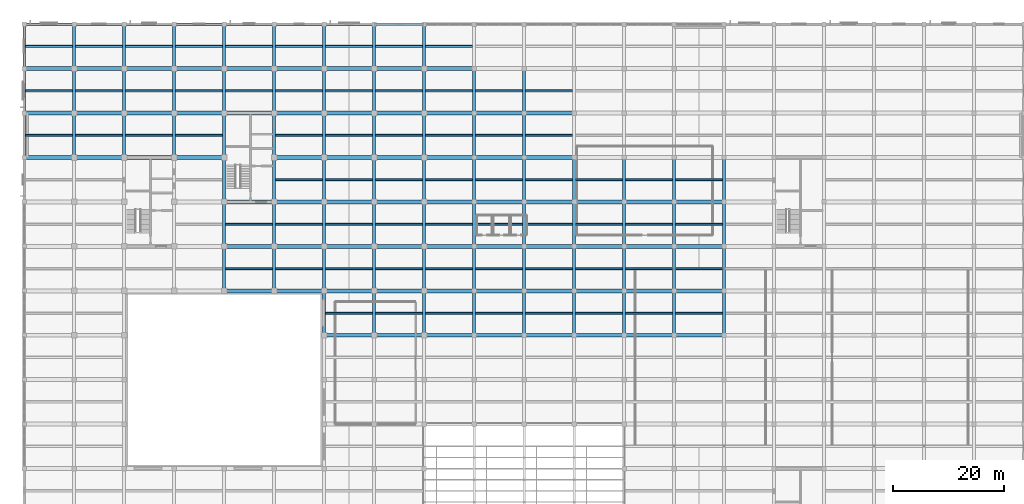
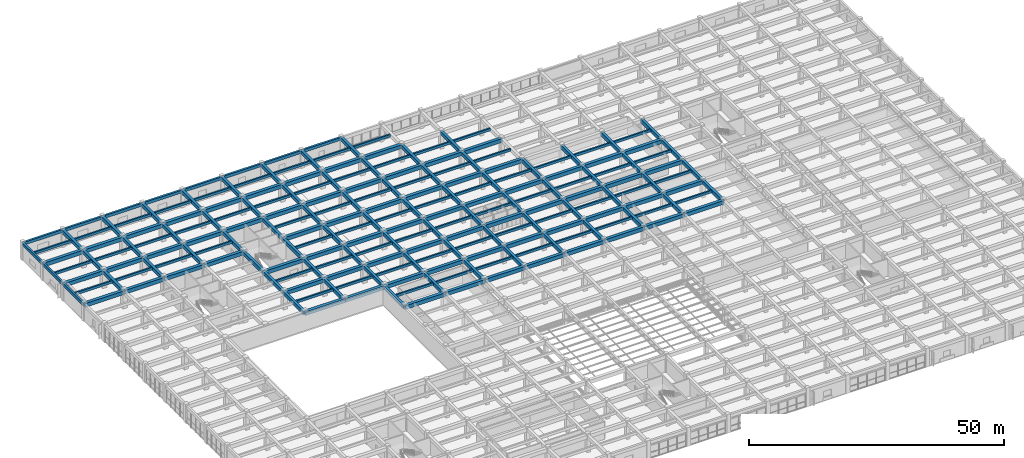
# One storey, part 15 of 50: 216 beams.
"""IFC4 building model written with IfcOpenShell, lengths in metres."""

from ifc_helpers import new_model, si_unit, direction, frame, origin, origin_2d, place, context, subcontext, project, spatial, rectangle, extrude, material, material_profile, profile_set, type_object, element, save


model = new_model("IFC4")

# Units and contexts
model_context = context("Model", 3, precision=1e-05, world=origin(), true_north=direction((0.0, 1.0)))
body_context = subcontext(model_context, "Body", "Model", "MODEL_VIEW")
ifc_project = project(units=[si_unit("LENGTHUNIT", "METRE"), si_unit("AREAUNIT", "SQUARE_METRE"), si_unit("VOLUMEUNIT", "CUBIC_METRE"), si_unit("PLANEANGLEUNIT", "RADIAN"), si_unit("MASSUNIT", "GRAM", prefix="KILO")], contexts=[model_context])

# Site, building, storey
site_placement = place(None, origin())
site = spatial("IfcSite", under=ifc_project, at=site_placement, CompositionType="ELEMENT")
building_placement = place(site_placement, origin())
building = spatial("IfcBuilding", under=site, at=building_placement, Name="Zaverband Oceanarium and Marine Research Institute", CompositionType="ELEMENT")
storey_placement = place(building_placement, frame((0.0, 0.0, 9.0)))
storey = spatial("IfcBuildingStorey", under=building, at=storey_placement, Name="L02", CompositionType="ELEMENT", Elevation=9.0)

# Beams
ifc_material = material(Name="Concrete C40/50", Category="concrete")
ifc_material_profile_1 = material_profile(ifc_material, rectangle(XDim=0.60009765625, YDim=0.85009765625, at=origin_2d()), Name="RC600x850")
ifc_profile_set_1 = profile_set([ifc_material_profile_1], Name="Concrete C40/50")
beam_type_1 = type_object("IfcBeamType", Name="BM-600x850", PredefinedType="BEAM", material=ifc_profile_set_1)
for number, where, z_axis, x_axis, name in (
    (1, (9.0, 96.0, 3.715087890625), (0.0, 1.0, 0.0), (-1.0, 0.0, 0.0), "Primary floor girder BM-600x850"),
    (2, (9.0, 104.0, 3.715087890625), (0.0, 1.0, 0.0), (-1.0, 0.0, 0.0), "Primary floor girder BM-600x850"),
    (3, (9.0, 112.0, 3.715087890625), (0.0, 1.0, 0.0), (-1.0, 0.0, 0.0), "Primary floor girder BM-600x850"),
    (4, (18.0, 96.0, 3.715087890625), (0.0, 1.0, 0.0), (-1.0, 0.0, 0.0), "Primary floor girder BM-600x850"),
    (5, (18.0, 104.0, 3.715087890625), (0.0, 1.0, 0.0), (-1.0, 0.0, 0.0), "Primary floor girder BM-600x850"),
    (6, (18.0, 112.0, 3.715087890625), (0.0, 1.0, 0.0), (-1.0, 0.0, 0.0), "Primary floor girder BM-600x850"),
    (7, (27.0, 96.0, 3.715087890625), (0.0, 1.0, 0.0), (-1.0, 0.0, 0.0), "Primary floor girder BM-600x850"),
    (8, (27.0, 104.0, 3.715087890625), (0.0, 1.0, 0.0), (-1.0, 0.0, 0.0), "Primary floor girder BM-600x850"),
    (9, (27.0, 112.0, 3.715087890625), (0.0, 1.0, 0.0), (-1.0, 0.0, 0.0), "Primary floor girder BM-600x850"),
    (10, (36.0, 72.0, 3.715087890625), (0.0, 1.0, 0.0), (-1.0, 0.0, 0.0), "Primary floor girder BM-600x850"),
    (11, (36.0, 80.0, 3.715087890625), (0.0, 1.0, 0.0), (-1.0, 0.0, 0.0), "Primary floor girder BM-600x850"),
    (12, (36.0, 88.0, 3.715087890625), (0.0, 1.0, 0.0), (-1.0, 0.0, 0.0), "Primary floor girder BM-600x850"),
    (13, (36.0, 96.0, 3.715087890625), (0.0, 1.0, 0.0), (-1.0, 0.0, 0.0), "Primary floor girder BM-600x850"),
    (14, (36.0, 104.0, 3.715087890625), (0.0, 1.0, 0.0), (-1.0, 0.0, 0.0), "Primary floor girder BM-600x850"),
    (15, (36.0, 112.0, 3.715087890625), (0.0, 1.0, 0.0), (-1.0, 0.0, 0.0), "Primary floor girder BM-600x850"),
    (16, (45.0, 72.0, 3.715087890625), (0.0, 1.0, 0.0), (-1.0, 0.0, 0.0), "Primary floor girder BM-600x850"),
    (17, (45.0, 80.0, 3.715087890625), (0.0, 1.0, 0.0), (-1.0, 0.0, 0.0), "Primary floor girder BM-600x850"),
    (18, (45.0, 88.0, 3.715087890625), (0.0, 1.0, 0.0), (-1.0, 0.0, 0.0), "Primary floor girder BM-600x850"),
    (19, (45.0, 96.0, 3.715087890625), (0.0, 1.0, 0.0), (-1.0, 0.0, 0.0), "Primary floor girder BM-600x850"),
    (20, (45.0, 104.0, 3.715087890625), (0.0, 1.0, 0.0), (-1.0, 0.0, 0.0), "Primary floor girder BM-600x850"),
    (21, (45.0, 112.0, 3.715087890625), (0.0, 1.0, 0.0), (-1.0, 0.0, 0.0), "Primary floor girder BM-600x850"),
    (22, (54.0, 64.0, 3.715087890625), (0.0, 1.0, 0.0), (-1.0, 0.0, 0.0), "Primary floor girder BM-600x850"),
    (23, (54.0, 72.0, 3.715087890625), (0.0, 1.0, 0.0), (-1.0, 0.0, 0.0), "Primary floor girder BM-600x850"),
    (24, (54.0, 80.0, 3.715087890625), (0.0, 1.0, 0.0), (-1.0, 0.0, 0.0), "Primary floor girder BM-600x850"),
    (25, (54.0, 88.0, 3.715087890625), (0.0, 1.0, 0.0), (-1.0, 0.0, 0.0), "Primary floor girder BM-600x850"),
    (26, (54.0, 96.0, 3.715087890625), (0.0, 1.0, 0.0), (-1.0, 0.0, 0.0), "Primary floor girder BM-600x850"),
    (27, (54.0, 104.0, 3.715087890625), (0.0, 1.0, 0.0), (-1.0, 0.0, 0.0), "Primary floor girder BM-600x850"),
    (28, (54.0, 112.0, 3.715087890625), (0.0, 1.0, 0.0), (-1.0, 0.0, 0.0), "Primary floor girder BM-600x850"),
    (29, (63.0, 64.0, 3.715087890625), (0.0, 1.0, 0.0), (-1.0, 0.0, 0.0), "Primary floor girder BM-600x850"),
    (30, (63.0, 72.0, 3.715087890625), (0.0, 1.0, 0.0), (-1.0, 0.0, 0.0), "Primary floor girder BM-600x850"),
    (31, (63.0, 80.0, 3.715087890625), (0.0, 1.0, 0.0), (-1.0, 0.0, 0.0), "Primary floor girder BM-600x850"),
    (32, (63.0, 88.0, 3.715087890625), (0.0, 1.0, 0.0), (-1.0, 0.0, 0.0), "Primary floor girder BM-600x850"),
    (33, (63.0, 96.0, 3.715087890625), (0.0, 1.0, 0.0), (-1.0, 0.0, 0.0), "Primary floor girder BM-600x850"),
    (34, (63.0, 104.0, 3.715087890625), (0.0, 1.0, 0.0), (-1.0, 0.0, 0.0), "Primary floor girder BM-600x850"),
    (35, (63.0, 112.0, 3.715087890625), (0.0, 1.0, 0.0), (-1.0, 0.0, 0.0), "Primary floor girder BM-600x850"),
    (36, (72.0, 64.0, 3.715087890625), (0.0, 1.0, 0.0), (-1.0, 0.0, 0.0), "Primary floor girder BM-600x850"),
    (37, (72.0, 72.0, 3.715087890625), (0.0, 1.0, 0.0), (-1.0, 0.0, 0.0), "Primary floor girder BM-600x850"),
    (38, (72.0, 80.0, 3.715087890625), (0.0, 1.0, 0.0), (-1.0, 0.0, 0.0), "Primary floor girder BM-600x850"),
    (39, (72.0, 88.0, 3.715087890625), (0.0, 1.0, 0.0), (-1.0, 0.0, 0.0), "Primary floor girder BM-600x850"),
    (40, (72.0, 96.0, 3.715087890625), (0.0, 1.0, 0.0), (-1.0, 0.0, 0.0), "Primary floor girder BM-600x850"),
    (41, (72.0, 104.0, 3.715087890625), (0.0, 1.0, 0.0), (-1.0, 0.0, 0.0), "Primary floor girder BM-600x850"),
    (42, (72.0, 112.0, 3.715087890625), (0.0, 1.0, 0.0), (-1.0, 0.0, 0.0), "Primary floor girder BM-600x850"),
    (43, (81.0, 64.0, 3.715087890625), (0.0, 1.0, 0.0), (-1.0, 0.0, 0.0), "Primary floor girder BM-600x850"),
    (44, (81.0, 72.0, 3.715087890625), (0.0, 1.0, 0.0), (-1.0, 0.0, 0.0), "Primary floor girder BM-600x850"),
    (45, (81.0, 80.0, 3.715087890625), (0.0, 1.0, 0.0), (-1.0, 0.0, 0.0), "Primary floor girder BM-600x850"),
    (46, (81.0, 88.0, 3.715087890625), (0.0, 1.0, 0.0), (-1.0, 0.0, 0.0), "Primary floor girder BM-600x850"),
    (47, (81.0, 96.0, 3.715087890625), (0.0, 1.0, 0.0), (-1.0, 0.0, 0.0), "Primary floor girder BM-600x850"),
    (48, (81.0, 104.0, 3.715087890625), (0.0, 1.0, 0.0), (-1.0, 0.0, 0.0), "Primary floor girder BM-600x850"),
    (49, (90.0, 64.0, 3.715087890625), (0.0, 1.0, 0.0), (-1.0, 0.0, 0.0), "Primary floor girder BM-600x850"),
    (50, (90.0, 72.0, 3.715087890625), (0.0, 1.0, 0.0), (-1.0, 0.0, 0.0), "Primary floor girder BM-600x850"),
    (51, (90.0, 80.0, 3.715087890625), (0.0, 1.0, 0.0), (-1.0, 0.0, 0.0), "Primary floor girder BM-600x850"),
    (52, (90.0, 88.0, 3.715087890625), (0.0, 1.0, 0.0), (-1.0, 0.0, 0.0), "Primary floor girder BM-600x850"),
    (53, (90.0, 96.0, 3.715087890625), (0.0, 1.0, 0.0), (-1.0, 0.0, 0.0), "Primary floor girder BM-600x850"),
    (54, (90.0, 104.0, 3.715087890625), (0.0, 1.0, 0.0), (-1.0, 0.0, 0.0), "Primary floor girder BM-600x850"),
    (55, (99.0, 64.0, 3.715087890625), (0.0, 1.0, 0.0), (-1.0, 0.0, 0.0), "Primary floor girder BM-600x850"),
    (56, (99.0, 72.0, 3.715087890625), (0.0, 1.0, 0.0), (-1.0, 0.0, 0.0), "Primary floor girder BM-600x850"),
    (57, (99.0, 80.0, 3.715087890625), (0.0, 1.0, 0.0), (-1.0, 0.0, 0.0), "Primary floor girder BM-600x850"),
    (58, (99.0, 88.0, 3.715087890625), (0.0, 1.0, 0.0), (-1.0, 0.0, 0.0), "Primary floor girder BM-600x850"),
    (59, (108.0, 64.0, 3.715087890625), (0.0, 1.0, 0.0), (-1.0, 0.0, 0.0), "Primary floor girder BM-600x850"),
    (60, (108.0, 72.0, 3.715087890625), (0.0, 1.0, 0.0), (-1.0, 0.0, 0.0), "Primary floor girder BM-600x850"),
    (61, (108.0, 80.0, 3.715087890625), (0.0, 1.0, 0.0), (-1.0, 0.0, 0.0), "Primary floor girder BM-600x850"),
    (62, (108.0, 88.0, 3.715087890625), (0.0, 1.0, 0.0), (-1.0, 0.0, 0.0), "Primary floor girder BM-600x850"),
    (63, (117.0, 64.0, 3.715087890625), (0.0, 1.0, 0.0), (-1.0, 0.0, 0.0), "Primary floor girder BM-600x850"),
    (64, (117.0, 72.0, 3.715087890625), (0.0, 1.0, 0.0), (-1.0, 0.0, 0.0), "Primary floor girder BM-600x850"),
    (65, (117.0, 80.0, 3.715087890625), (0.0, 1.0, 0.0), (-1.0, 0.0, 0.0), "Primary floor girder BM-600x850"),
    (66, (117.0, 88.0, 3.715087890625), (0.0, 1.0, 0.0), (-1.0, 0.0, 0.0), "Primary floor girder BM-600x850"),
    (67, (126.0, 64.0, 3.715087890625), (0.0, 1.0, 0.0), (-1.0, 0.0, 0.0), "Primary floor girder BM-600x850"),
    (68, (126.0, 72.0, 3.715087890625), (0.0, 1.0, 0.0), (-1.0, 0.0, 0.0), "Primary floor girder BM-600x850"),
    (69, (126.0, 80.0, 3.715087890625), (0.0, 1.0, 0.0), (-1.0, 0.0, 0.0), "Primary floor girder BM-600x850"),
    (70, (126.0, 88.0, 3.715087890625), (0.0, 1.0, 0.0), (-1.0, 0.0, 0.0), "Primary floor girder BM-600x850"),
):
    element("IfcBeam", number, at=place(storey_placement, frame(where, z_axis=z_axis, x_axis=x_axis)), inside=storey, type_object=beam_type_1, Name=name, PredefinedType="BEAM", context=body_context, shape_type="SweptSolid", body=[
        extrude(rectangle(XDim=0.60009765625, YDim=0.85009765625, at=origin_2d()), origin(), (0.0, 0.0, 1.0), 8.0),
    ])
ifc_material_profile_2 = material_profile(ifc_material, rectangle(XDim=0.699951171875, YDim=0.89990234375, at=origin_2d()), Name="RC700x900")
ifc_profile_set_2 = profile_set([ifc_material_profile_2], Name="Concrete C40/50")
beam_type_2 = type_object("IfcBeamType", Name="BM-700x900", PredefinedType="BEAM", material=ifc_profile_set_2)
for number, where, z_axis, x_axis, name in (
    (71, (54.0, 64.0, 3.68994140625), (1.0, 0.0, 0.0), (0.0, 1.0, 0.0), "Primary floor girder BM-700x900"),
    (72, (63.0, 64.0, 3.68994140625), (1.0, 0.0, 0.0), (0.0, 1.0, 0.0), "Primary floor girder BM-700x900"),
    (73, (72.0, 64.0, 3.68994140625), (1.0, 0.0, 0.0), (0.0, 1.0, 0.0), "Primary floor girder BM-700x900"),
    (74, (81.0, 64.0, 3.68994140625), (1.0, 0.0, 0.0), (0.0, 1.0, 0.0), "Primary floor girder BM-700x900"),
    (75, (90.0, 64.0, 3.68994140625), (1.0, 0.0, 0.0), (0.0, 1.0, 0.0), "Primary floor girder BM-700x900"),
    (76, (99.0, 64.0, 3.68994140625), (1.0, 0.0, 0.0), (0.0, 1.0, 0.0), "Primary floor girder BM-700x900"),
    (77, (108.0, 64.0, 3.68994140625), (1.0, 0.0, 0.0), (0.0, 1.0, 0.0), "Primary floor girder BM-700x900"),
    (78, (117.0, 64.0, 3.68994140625), (1.0, 0.0, 0.0), (0.0, 1.0, 0.0), "Primary floor girder BM-700x900"),
    (79, (36.0, 72.0, 3.68994140625), (1.0, 0.0, 0.0), (0.0, 1.0, 0.0), "Primary floor girder BM-700x900"),
    (80, (45.0, 72.0, 3.68994140625), (1.0, 0.0, 0.0), (0.0, 1.0, 0.0), "Primary floor girder BM-700x900"),
    (81, (54.0, 72.0, 3.68994140625), (1.0, 0.0, 0.0), (0.0, 1.0, 0.0), "Primary floor girder BM-700x900"),
    (82, (63.0, 72.0, 3.68994140625), (1.0, 0.0, 0.0), (0.0, 1.0, 0.0), "Primary floor girder BM-700x900"),
    (83, (72.0, 72.0, 3.68994140625), (1.0, 0.0, 0.0), (0.0, 1.0, 0.0), "Primary floor girder BM-700x900"),
    (84, (81.0, 72.0, 3.68994140625), (1.0, 0.0, 0.0), (0.0, 1.0, 0.0), "Primary floor girder BM-700x900"),
    (85, (90.0, 72.0, 3.68994140625), (1.0, 0.0, 0.0), (0.0, 1.0, 0.0), "Primary floor girder BM-700x900"),
    (86, (99.0, 72.0, 3.68994140625), (1.0, 0.0, 0.0), (0.0, 1.0, 0.0), "Primary floor girder BM-700x900"),
    (87, (108.0, 72.0, 3.68994140625), (1.0, 0.0, 0.0), (0.0, 1.0, 0.0), "Primary floor girder BM-700x900"),
    (88, (117.0, 72.0, 3.68994140625), (1.0, 0.0, 0.0), (0.0, 1.0, 0.0), "Primary floor girder BM-700x900"),
    (89, (36.0, 80.0, 3.68994140625), (1.0, 0.0, 0.0), (0.0, 1.0, 0.0), "Primary floor girder BM-700x900"),
    (90, (45.0, 80.0, 3.68994140625), (1.0, 0.0, 0.0), (0.0, 1.0, 0.0), "Primary floor girder BM-700x900"),
    (91, (54.0, 80.0, 3.68994140625), (1.0, 0.0, 0.0), (0.0, 1.0, 0.0), "Primary floor girder BM-700x900"),
    (92, (63.0, 80.0, 3.68994140625), (1.0, 0.0, 0.0), (0.0, 1.0, 0.0), "Primary floor girder BM-700x900"),
    (93, (72.0, 80.0, 3.68994140625), (1.0, 0.0, 0.0), (0.0, 1.0, 0.0), "Primary floor girder BM-700x900"),
    (94, (81.0, 80.0, 3.68994140625), (1.0, 0.0, 0.0), (0.0, 1.0, 0.0), "Primary floor girder BM-700x900"),
    (95, (90.0, 80.0, 3.68994140625), (1.0, 0.0, 0.0), (0.0, 1.0, 0.0), "Primary floor girder BM-700x900"),
    (96, (99.0, 80.0, 3.68994140625), (1.0, 0.0, 0.0), (0.0, 1.0, 0.0), "Primary floor girder BM-700x900"),
    (97, (108.0, 80.0, 3.68994140625), (1.0, 0.0, 0.0), (0.0, 1.0, 0.0), "Primary floor girder BM-700x900"),
    (98, (117.0, 80.0, 3.68994140625), (1.0, 0.0, 0.0), (0.0, 1.0, 0.0), "Primary floor girder BM-700x900"),
    (99, (36.0, 88.0, 3.68994140625), (1.0, 0.0, 0.0), (0.0, 1.0, 0.0), "Primary floor girder BM-700x900"),
    (100, (45.0, 88.0, 3.68994140625), (1.0, 0.0, 0.0), (0.0, 1.0, 0.0), "Primary floor girder BM-700x900"),
    (101, (54.0, 88.0, 3.68994140625), (1.0, 0.0, 0.0), (0.0, 1.0, 0.0), "Primary floor girder BM-700x900"),
    (102, (63.0, 88.0, 3.68994140625), (1.0, 0.0, 0.0), (0.0, 1.0, 0.0), "Primary floor girder BM-700x900"),
    (103, (72.0, 88.0, 3.68994140625), (1.0, 0.0, 0.0), (0.0, 1.0, 0.0), "Primary floor girder BM-700x900"),
    (104, (81.0, 88.0, 3.68994140625), (1.0, 0.0, 0.0), (0.0, 1.0, 0.0), "Primary floor girder BM-700x900"),
    (105, (90.0, 88.0, 3.68994140625), (1.0, 0.0, 0.0), (0.0, 1.0, 0.0), "Primary floor girder BM-700x900"),
    (106, (99.0, 88.0, 3.68994140625), (1.0, 0.0, 0.0), (0.0, 1.0, 0.0), "Primary floor girder BM-700x900"),
    (107, (108.0, 88.0, 3.68994140625), (1.0, 0.0, 0.0), (0.0, 1.0, 0.0), "Primary floor girder BM-700x900"),
    (108, (117.0, 88.0, 3.68994140625), (1.0, 0.0, 0.0), (0.0, 1.0, 0.0), "Primary floor girder BM-700x900"),
    (109, (0.0, 96.0, 3.68994140625), (1.0, 0.0, 0.0), (0.0, 1.0, 0.0), "Primary floor girder BM-700x900"),
    (110, (9.0, 96.0, 3.68994140625), (1.0, 0.0, 0.0), (0.0, 1.0, 0.0), "Primary floor girder BM-700x900"),
    (111, (18.0, 96.0, 3.68994140625), (1.0, 0.0, 0.0), (0.0, 1.0, 0.0), "Primary floor girder BM-700x900"),
    (112, (27.0, 96.0, 3.68994140625), (1.0, 0.0, 0.0), (0.0, 1.0, 0.0), "Primary floor girder BM-700x900"),
    (113, (45.0, 96.0, 3.68994140625), (1.0, 0.0, 0.0), (0.0, 1.0, 0.0), "Primary floor girder BM-700x900"),
    (114, (54.0, 96.0, 3.68994140625), (1.0, 0.0, 0.0), (0.0, 1.0, 0.0), "Primary floor girder BM-700x900"),
    (115, (63.0, 96.0, 3.68994140625), (1.0, 0.0, 0.0), (0.0, 1.0, 0.0), "Primary floor girder BM-700x900"),
    (116, (72.0, 96.0, 3.68994140625), (1.0, 0.0, 0.0), (0.0, 1.0, 0.0), "Primary floor girder BM-700x900"),
    (117, (81.0, 96.0, 3.68994140625), (1.0, 0.0, 0.0), (0.0, 1.0, 0.0), "Primary floor girder BM-700x900"),
    (118, (90.0, 96.0, 3.68994140625), (1.0, 0.0, 0.0), (0.0, 1.0, 0.0), "Primary floor girder BM-700x900"),
    (119, (0.0, 104.0, 3.68994140625), (1.0, 0.0, 0.0), (0.0, 1.0, 0.0), "Primary floor girder BM-700x900"),
    (120, (9.0, 104.0, 3.68994140625), (1.0, 0.0, 0.0), (0.0, 1.0, 0.0), "Primary floor girder BM-700x900"),
    (121, (18.0, 104.0, 3.68994140625), (1.0, 0.0, 0.0), (0.0, 1.0, 0.0), "Primary floor girder BM-700x900"),
    (122, (27.0, 104.0, 3.68994140625), (1.0, 0.0, 0.0), (0.0, 1.0, 0.0), "Primary floor girder BM-700x900"),
    (123, (36.0, 104.0, 3.68994140625), (1.0, 0.0, 0.0), (0.0, 1.0, 0.0), "Primary floor girder BM-700x900"),
    (124, (45.0, 104.0, 3.68994140625), (1.0, 0.0, 0.0), (0.0, 1.0, 0.0), "Primary floor girder BM-700x900"),
    (125, (54.0, 104.0, 3.68994140625), (1.0, 0.0, 0.0), (0.0, 1.0, 0.0), "Primary floor girder BM-700x900"),
    (126, (63.0, 104.0, 3.68994140625), (1.0, 0.0, 0.0), (0.0, 1.0, 0.0), "Primary floor girder BM-700x900"),
    (127, (72.0, 104.0, 3.68994140625), (1.0, 0.0, 0.0), (0.0, 1.0, 0.0), "Primary floor girder BM-700x900"),
    (128, (81.0, 104.0, 3.68994140625), (1.0, 0.0, 0.0), (0.0, 1.0, 0.0), "Primary floor girder BM-700x900"),
    (129, (90.0, 104.0, 3.68994140625), (1.0, 0.0, 0.0), (0.0, 1.0, 0.0), "Primary floor girder BM-700x900"),
    (130, (0.0, 112.0, 3.68994140625), (1.0, 0.0, 0.0), (0.0, 1.0, 0.0), "Primary floor girder BM-700x900"),
    (131, (9.0, 112.0, 3.68994140625), (1.0, 0.0, 0.0), (0.0, 1.0, 0.0), "Primary floor girder BM-700x900"),
    (132, (18.0, 112.0, 3.68994140625), (1.0, 0.0, 0.0), (0.0, 1.0, 0.0), "Primary floor girder BM-700x900"),
    (133, (27.0, 112.0, 3.68994140625), (1.0, 0.0, 0.0), (0.0, 1.0, 0.0), "Primary floor girder BM-700x900"),
    (134, (36.0, 112.0, 3.68994140625), (1.0, 0.0, 0.0), (0.0, 1.0, 0.0), "Primary floor girder BM-700x900"),
    (135, (45.0, 112.0, 3.68994140625), (1.0, 0.0, 0.0), (0.0, 1.0, 0.0), "Primary floor girder BM-700x900"),
    (136, (54.0, 112.0, 3.68994140625), (1.0, 0.0, 0.0), (0.0, 1.0, 0.0), "Primary floor girder BM-700x900"),
    (137, (63.0, 112.0, 3.68994140625), (1.0, 0.0, 0.0), (0.0, 1.0, 0.0), "Primary floor girder BM-700x900"),
    (138, (72.0, 112.0, 3.68994140625), (1.0, 0.0, 0.0), (0.0, 1.0, 0.0), "Primary floor girder BM-700x900"),
):
    element("IfcBeam", number, at=place(storey_placement, frame(where, z_axis=z_axis, x_axis=x_axis)), inside=storey, type_object=beam_type_2, Name=name, PredefinedType="BEAM", context=body_context, shape_type="SweptSolid", body=[
        extrude(rectangle(XDim=0.699951171875, YDim=0.89990234375, at=origin_2d()), origin(), (0.0, 0.0, 1.0), 9.0),
    ])
ifc_material_profile_3 = material_profile(ifc_material, rectangle(XDim=0.35009765625, YDim=0.60009765625, at=origin_2d()), Name="RC350x600")
ifc_profile_set_3 = profile_set([ifc_material_profile_3], Name="Concrete C40/50")
beam_type_3 = type_object("IfcBeamType", Name="JST-350x600", PredefinedType="JOIST", material=ifc_profile_set_3)
for number, where, z_axis, x_axis, name in (
    (139, (0.22509765625, 100.0, 3.840087890625), (1.0, 0.0, 0.0), (0.0, 1.0, 0.0), "Secondary floor joist JST-350x600"),
    (140, (0.22509765625, 108.0, 3.840087890625), (1.0, 0.0, 0.0), (0.0, 1.0, 0.0), "Secondary floor joist JST-350x600"),
    (141, (0.22509765625, 116.0, 3.840087890625), (1.0, 0.0, 0.0), (0.0, 1.0, 0.0), "Secondary floor joist JST-350x600"),
):
    element("IfcBeam", number, at=place(storey_placement, frame(where, z_axis=z_axis, x_axis=x_axis)), inside=storey, type_object=beam_type_3, Name=name, PredefinedType="JOIST", context=body_context, shape_type="SweptSolid", body=[
        extrude(rectangle(XDim=0.35009765625, YDim=0.60009765625, at=origin_2d()), origin(), (0.0, 0.0, 1.0), 8.474853515625),
    ])
for number, where, z_axis, x_axis, name in (
    (142, (9.300048828125, 100.0, 3.840087890625), (1.0, 0.0, 0.0), (0.0, 1.0, 0.0), "Secondary floor joist JST-350x600"),
    (143, (9.300048828125, 108.0, 3.840087890625), (1.0, 0.0, 0.0), (0.0, 1.0, 0.0), "Secondary floor joist JST-350x600"),
    (144, (9.300048828125, 116.0, 3.840087890625), (1.0, 0.0, 0.0), (0.0, 1.0, 0.0), "Secondary floor joist JST-350x600"),
    (145, (18.300048828125, 100.0, 3.840087890625), (1.0, 0.0, 0.0), (0.0, 1.0, 0.0), "Secondary floor joist JST-350x600"),
    (146, (18.300048828125, 108.0, 3.840087890625), (1.0, 0.0, 0.0), (0.0, 1.0, 0.0), "Secondary floor joist JST-350x600"),
    (147, (18.300048828125, 116.0, 3.840087890625), (1.0, 0.0, 0.0), (0.0, 1.0, 0.0), "Secondary floor joist JST-350x600"),
    (148, (27.300048828125, 100.0, 3.840087890625), (1.0, 0.0, 0.0), (0.0, 1.0, 0.0), "Secondary floor joist JST-350x600"),
    (149, (27.300048828125, 108.0, 3.840087890625), (1.0, 0.0, 0.0), (0.0, 1.0, 0.0), "Secondary floor joist JST-350x600"),
    (150, (27.300048828125, 116.0, 3.840087890625), (1.0, 0.0, 0.0), (0.0, 1.0, 0.0), "Secondary floor joist JST-350x600"),
    (151, (36.300048828125, 76.0, 3.840087890625), (1.0, 0.0, 0.0), (0.0, 1.0, 0.0), "Secondary floor joist JST-350x600"),
    (152, (36.300048828125, 84.0, 3.840087890625), (1.0, 0.0, 0.0), (0.0, 1.0, 0.0), "Secondary floor joist JST-350x600"),
    (153, (36.300048828125, 108.0, 3.840087890625), (1.0, 0.0, 0.0), (0.0, 1.0, 0.0), "Secondary floor joist JST-350x600"),
    (154, (36.300048828125, 116.0, 3.840087890625), (1.0, 0.0, 0.0), (0.0, 1.0, 0.0), "Secondary floor joist JST-350x600"),
    (155, (45.300048828125, 76.0, 3.840087890625), (1.0, 0.0, 0.0), (0.0, 1.0, 0.0), "Secondary floor joist JST-350x600"),
    (156, (45.300048828125, 84.0, 3.840087890625), (1.0, 0.0, 0.0), (0.0, 1.0, 0.0), "Secondary floor joist JST-350x600"),
    (157, (45.300048828125, 92.0, 3.840087890625), (1.0, 0.0, 0.0), (0.0, 1.0, 0.0), "Secondary floor joist JST-350x600"),
    (158, (45.300048828125, 100.0, 3.840087890625), (1.0, 0.0, 0.0), (0.0, 1.0, 0.0), "Secondary floor joist JST-350x600"),
    (159, (45.300048828125, 108.0, 3.840087890625), (1.0, 0.0, 0.0), (0.0, 1.0, 0.0), "Secondary floor joist JST-350x600"),
    (160, (45.300048828125, 116.0, 3.840087890625), (1.0, 0.0, 0.0), (0.0, 1.0, 0.0), "Secondary floor joist JST-350x600"),
    (161, (54.300048828125, 68.0, 3.840087890625), (1.0, 0.0, 0.0), (0.0, 1.0, 0.0), "Secondary floor joist JST-350x600"),
    (162, (54.300048828125, 76.0, 3.840087890625), (1.0, 0.0, 0.0), (0.0, 1.0, 0.0), "Secondary floor joist JST-350x600"),
    (163, (54.300048828125, 84.0, 3.840087890625), (1.0, 0.0, 0.0), (0.0, 1.0, 0.0), "Secondary floor joist JST-350x600"),
    (164, (54.300048828125, 92.0, 3.840087890625), (1.0, 0.0, 0.0), (0.0, 1.0, 0.0), "Secondary floor joist JST-350x600"),
    (165, (54.300048828125, 100.0, 3.840087890625), (1.0, 0.0, 0.0), (0.0, 1.0, 0.0), "Secondary floor joist JST-350x600"),
    (166, (54.300048828125, 108.0, 3.840087890625), (1.0, 0.0, 0.0), (0.0, 1.0, 0.0), "Secondary floor joist JST-350x600"),
    (167, (54.300048828125, 116.0, 3.840087890625), (1.0, 0.0, 0.0), (0.0, 1.0, 0.0), "Secondary floor joist JST-350x600"),
    (168, (63.300048828125, 68.0, 3.840087890625), (1.0, 0.0, 0.0), (0.0, 1.0, 0.0), "Secondary floor joist JST-350x600"),
    (169, (63.300048828125, 76.0, 3.840087890625), (1.0, 0.0, 0.0), (0.0, 1.0, 0.0), "Secondary floor joist JST-350x600"),
    (170, (63.300048828125, 84.0, 3.840087890625), (1.0, 0.0, 0.0), (0.0, 1.0, 0.0), "Secondary floor joist JST-350x600"),
    (171, (63.300048828125, 92.0, 3.840087890625), (1.0, 0.0, 0.0), (0.0, 1.0, 0.0), "Secondary floor joist JST-350x600"),
    (172, (63.300048828125, 100.0, 3.840087890625), (1.0, 0.0, 0.0), (0.0, 1.0, 0.0), "Secondary floor joist JST-350x600"),
    (173, (63.300048828125, 108.0, 3.840087890625), (1.0, 0.0, 0.0), (0.0, 1.0, 0.0), "Secondary floor joist JST-350x600"),
    (174, (63.300048828125, 116.0, 3.840087890625), (1.0, 0.0, 0.0), (0.0, 1.0, 0.0), "Secondary floor joist JST-350x600"),
    (175, (72.300048828125, 68.0, 3.840087890625), (1.0, 0.0, 0.0), (0.0, 1.0, 0.0), "Secondary floor joist JST-350x600"),
    (176, (72.300048828125, 76.0, 3.840087890625), (1.0, 0.0, 0.0), (0.0, 1.0, 0.0), "Secondary floor joist JST-350x600"),
    (177, (72.300048828125, 84.0, 3.840087890625), (1.0, 0.0, 0.0), (0.0, 1.0, 0.0), "Secondary floor joist JST-350x600"),
    (178, (72.300048828125, 92.0, 3.840087890625), (1.0, 0.0, 0.0), (0.0, 1.0, 0.0), "Secondary floor joist JST-350x600"),
    (179, (72.300048828125, 100.0, 3.840087890625), (1.0, 0.0, 0.0), (0.0, 1.0, 0.0), "Secondary floor joist JST-350x600"),
    (180, (72.300048828125, 108.0, 3.840087890625), (1.0, 0.0, 0.0), (0.0, 1.0, 0.0), "Secondary floor joist JST-350x600"),
    (181, (72.300048828125, 116.0, 3.840087890625), (1.0, 0.0, 0.0), (0.0, 1.0, 0.0), "Secondary floor joist JST-350x600"),
    (182, (81.300048828125, 68.0, 3.840087890625), (1.0, 0.0, 0.0), (0.0, 1.0, 0.0), "Secondary floor joist JST-350x600"),
    (183, (81.300048828125, 76.0, 3.840087890625), (1.0, 0.0, 0.0), (0.0, 1.0, 0.0), "Secondary floor joist JST-350x600"),
    (184, (81.300048828125, 84.0, 3.840087890625), (1.0, 0.0, 0.0), (0.0, 1.0, 0.0), "Secondary floor joist JST-350x600"),
    (185, (81.300048828125, 92.0, 3.840087890625), (1.0, 0.0, 0.0), (0.0, 1.0, 0.0), "Secondary floor joist JST-350x600"),
    (186, (81.300048828125, 100.0, 3.840087890625), (1.0, 0.0, 0.0), (0.0, 1.0, 0.0), "Secondary floor joist JST-350x600"),
    (187, (81.300048828125, 108.0, 3.840087890625), (1.0, 0.0, 0.0), (0.0, 1.0, 0.0), "Secondary floor joist JST-350x600"),
    (188, (90.300048828125, 68.0, 3.840087890625), (1.0, 0.0, 0.0), (0.0, 1.0, 0.0), "Secondary floor joist JST-350x600"),
    (189, (90.300048828125, 76.0, 3.840087890625), (1.0, 0.0, 0.0), (0.0, 1.0, 0.0), "Secondary floor joist JST-350x600"),
    (190, (90.300048828125, 84.0, 3.840087890625), (1.0, 0.0, 0.0), (0.0, 1.0, 0.0), "Secondary floor joist JST-350x600"),
    (191, (90.300048828125, 92.0, 3.840087890625), (1.0, 0.0, 0.0), (0.0, 1.0, 0.0), "Secondary floor joist JST-350x600"),
    (192, (90.300048828125, 100.0, 3.840087890625), (1.0, 0.0, 0.0), (0.0, 1.0, 0.0), "Secondary floor joist JST-350x600"),
    (193, (90.300048828125, 108.0, 3.840087890625), (1.0, 0.0, 0.0), (0.0, 1.0, 0.0), "Secondary floor joist JST-350x600"),
    (194, (99.300048828125, 68.0, 3.840087890625), (1.0, 0.0, 0.0), (0.0, 1.0, 0.0), "Secondary floor joist JST-350x600"),
    (195, (99.300048828125, 76.0, 3.840087890625), (1.0, 0.0, 0.0), (0.0, 1.0, 0.0), "Secondary floor joist JST-350x600"),
    (196, (99.300048828125, 84.0, 3.840087890625), (1.0, 0.0, 0.0), (0.0, 1.0, 0.0), "Secondary floor joist JST-350x600"),
    (197, (99.300048828125, 92.0, 3.840087890625), (1.0, 0.0, 0.0), (0.0, 1.0, 0.0), "Secondary floor joist JST-350x600"),
    (198, (108.300048828125, 68.0, 3.840087890625), (1.0, 0.0, 0.0), (0.0, 1.0, 0.0), "Secondary floor joist JST-350x600"),
    (199, (108.300048828125, 76.0, 3.840087890625), (1.0, 0.0, 0.0), (0.0, 1.0, 0.0), "Secondary floor joist JST-350x600"),
    (200, (108.300048828125, 84.0, 3.840087890625), (1.0, 0.0, 0.0), (0.0, 1.0, 0.0), "Secondary floor joist JST-350x600"),
    (201, (108.300048828125, 92.0, 3.840087890625), (1.0, 0.0, 0.0), (0.0, 1.0, 0.0), "Secondary floor joist JST-350x600"),
    (202, (117.300048828125, 68.0, 3.840087890625), (1.0, 0.0, 0.0), (0.0, 1.0, 0.0), "Secondary floor joist JST-350x600"),
    (203, (117.300048828125, 76.0, 3.840087890625), (1.0, 0.0, 0.0), (0.0, 1.0, 0.0), "Secondary floor joist JST-350x600"),
    (204, (117.300048828125, 84.0, 3.840087890625), (1.0, 0.0, 0.0), (0.0, 1.0, 0.0), "Secondary floor joist JST-350x600"),
    (205, (117.300048828125, 92.0, 3.840087890625), (1.0, 0.0, 0.0), (0.0, 1.0, 0.0), "Secondary floor joist JST-350x600"),
):
    element("IfcBeam", number, at=place(storey_placement, frame(where, z_axis=z_axis, x_axis=x_axis)), inside=storey, type_object=beam_type_3, Name=name, PredefinedType="JOIST", context=body_context, shape_type="SweptSolid", body=[
        extrude(rectangle(XDim=0.35009765625, YDim=0.60009765625, at=origin_2d()), origin(), (0.0, 0.0, 1.0), 8.39990234375),
    ])
ifc_material_profile_4 = material_profile(ifc_material, rectangle(XDim=0.449951171875, YDim=0.699951171875, at=origin_2d()), Name="RC450x700")
ifc_profile_set_4 = profile_set([ifc_material_profile_4], Name="Concrete C40/50")
beam_type_4 = type_object("IfcBeamType", Name="SPN-450x700", PredefinedType="SPANDREL", material=ifc_profile_set_4)
for number, where, z_axis, x_axis, name in (
    (206, (0.0, 120.0, 3.7900390625), (1.0, 0.0, 0.0), (0.0, 1.0, 0.0), "Perimeter spandrel beam SPN-450x700"),
    (207, (9.0, 120.0, 3.7900390625), (1.0, 0.0, 0.0), (0.0, 1.0, 0.0), "Perimeter spandrel beam SPN-450x700"),
    (208, (18.0, 120.0, 3.7900390625), (1.0, 0.0, 0.0), (0.0, 1.0, 0.0), "Perimeter spandrel beam SPN-450x700"),
    (209, (27.0, 120.0, 3.7900390625), (1.0, 0.0, 0.0), (0.0, 1.0, 0.0), "Perimeter spandrel beam SPN-450x700"),
    (210, (36.0, 120.0, 3.7900390625), (1.0, 0.0, 0.0), (0.0, 1.0, 0.0), "Perimeter spandrel beam SPN-450x700"),
    (211, (45.0, 120.0, 3.7900390625), (1.0, 0.0, 0.0), (0.0, 1.0, 0.0), "Perimeter spandrel beam SPN-450x700"),
    (212, (54.0, 120.0, 3.7900390625), (1.0, 0.0, 0.0), (0.0, 1.0, 0.0), "Perimeter spandrel beam SPN-450x700"),
    (213, (63.0, 120.0, 3.7900390625), (1.0, 0.0, 0.0), (0.0, 1.0, 0.0), "Perimeter spandrel beam SPN-450x700"),
):
    element("IfcBeam", number, at=place(storey_placement, frame(where, z_axis=z_axis, x_axis=x_axis)), inside=storey, type_object=beam_type_4, Name=name, PredefinedType="SPANDREL", context=body_context, shape_type="SweptSolid", body=[
        extrude(rectangle(XDim=0.449951171875, YDim=0.699951171875, at=origin_2d()), origin(), (0.0, 0.0, 1.0), 9.0),
    ])
for number, where, z_axis, x_axis, name in (
    (214, (0.0, 96.0, 3.7900390625), (0.0, 1.0, 0.0), (-1.0, 0.0, 0.0), "Perimeter spandrel beam SPN-450x700"),
    (215, (0.0, 104.0, 3.7900390625), (0.0, 1.0, 0.0), (-1.0, 0.0, 0.0), "Perimeter spandrel beam SPN-450x700"),
    (216, (0.0, 112.0, 3.7900390625), (0.0, 1.0, 0.0), (-1.0, 0.0, 0.0), "Perimeter spandrel beam SPN-450x700"),
):
    element("IfcBeam", number, at=place(storey_placement, frame(where, z_axis=z_axis, x_axis=x_axis)), inside=storey, type_object=beam_type_4, Name=name, PredefinedType="SPANDREL", context=body_context, shape_type="SweptSolid", body=[
        extrude(rectangle(XDim=0.449951171875, YDim=0.699951171875, at=origin_2d()), origin(), (0.0, 0.0, 1.0), 8.0),
    ])

save(model, "model.ifc")
